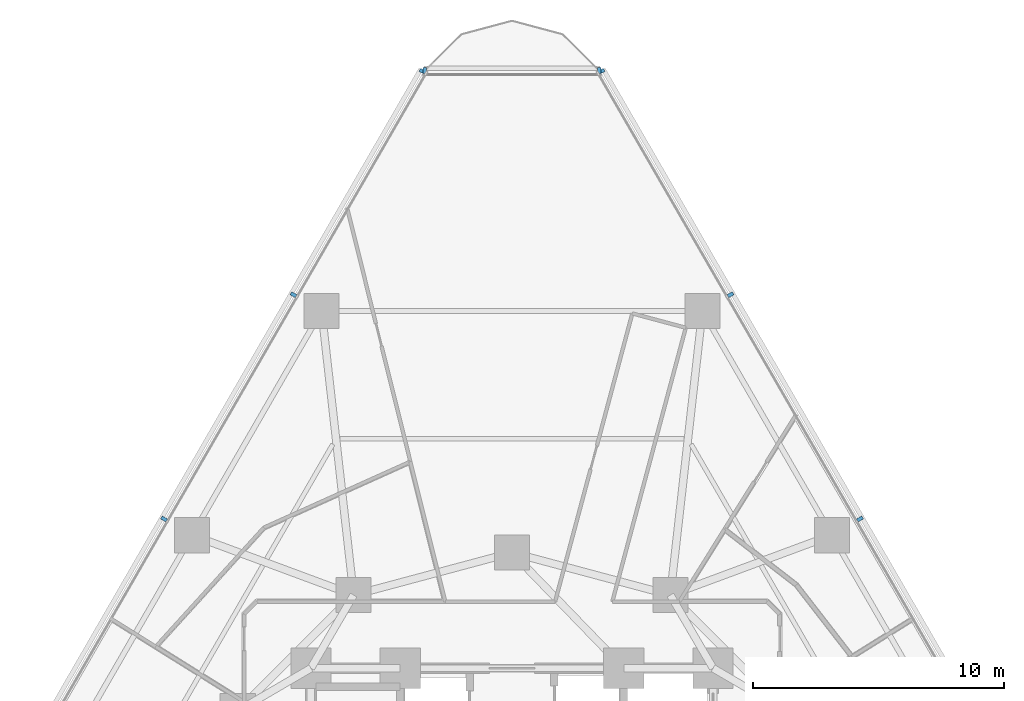
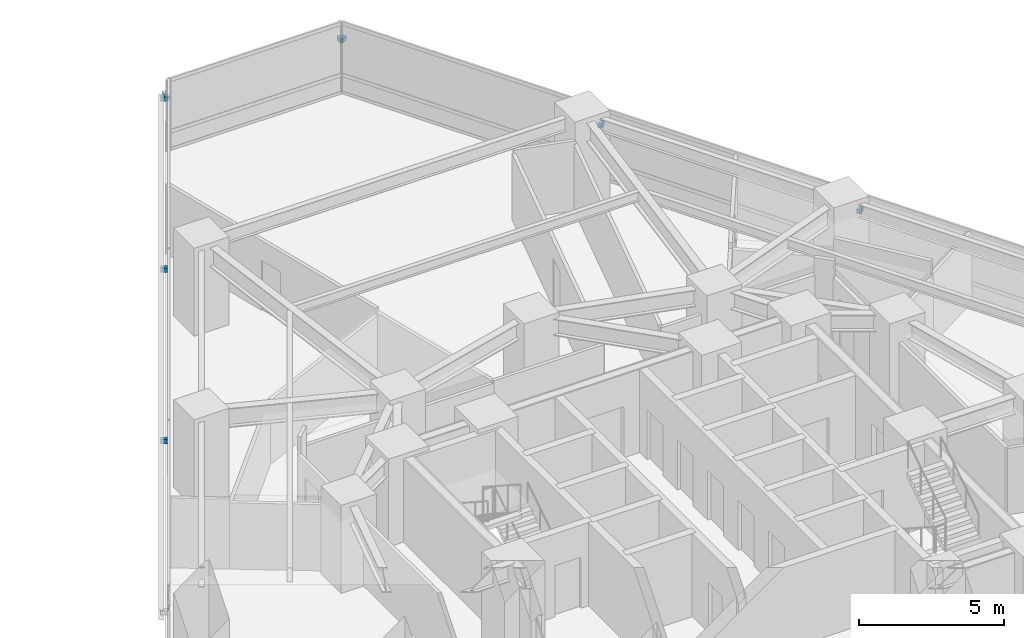
# One storey, part 12 of 16: 8 discrete accessories.
"""IFC4 building model written with IfcOpenShell, lengths in metres."""

from ifc_helpers import new_model, si_unit, direction, frame, origin, origin_2d, place, context, subcontext, project, spatial, rectangle, extrude, material, type_object, element, save


model = new_model("IFC4")

# Units and contexts
model_context = context("Model", 3, precision=1e-05, world=origin(), true_north=direction((0.0, 1.0)))
body_context = subcontext(model_context, "Body", "Model", "MODEL_VIEW")
ifc_project = project(units=[si_unit("LENGTHUNIT", "METRE"), si_unit("AREAUNIT", "SQUARE_METRE"), si_unit("VOLUMEUNIT", "CUBIC_METRE"), si_unit("PLANEANGLEUNIT", "RADIAN"), si_unit("MASSUNIT", "GRAM", prefix="KILO")], contexts=[model_context])

# Site, building, storey
site_placement = place(None, origin())
site = spatial("IfcSite", under=ifc_project, at=site_placement, CompositionType="ELEMENT")
building_placement = place(site_placement, origin())
building = spatial("IfcBuilding", under=site, at=building_placement, Name="Terralouvre Media Tower", CompositionType="ELEMENT")
storey_placement = place(building_placement, frame((0.0, 0.0, 29.699951171875)))
storey = spatial("IfcBuildingStorey", under=building, at=storey_placement, Name="L06", CompositionType="ELEMENT", Elevation=29.699951171875)

# Discrete accessories
ifc_material = material(Name="Anodised extruded aluminium 6063-T6", Category="aluminium")
discrete_accessory_type = type_object("IfcDiscreteAccessoryType", Name="Mullion Stand-Off Baguette Fixing Bracket BK-01", PredefinedType="BRACKET", material=ifc_material)
for number, where, z_axis, x_axis, name in (
    (1, (13.842041015625, 13.9384765625, 2.07421875), (0.0, 0.0, 1.0), (-0.499999985671, 0.866025412057, 0.0), "CW-L06-F1 Baguette Outrigger Bracket 1.04"),
    (2, (8.692138671875, 22.8583984375, 2.07421875), (0.0, 0.0, 1.0), (-0.499999985671, 0.866025412057, 0.0), "CW-L06-F1 Baguette Outrigger Bracket 1.05"),
    (3, (3.560791015625, 31.74609375, 2.07421875), (0.0, 0.0, 1.0), (-0.499999985671, 0.866025412057, 0.0), "CW-L06-F1 Baguette Outrigger Bracket 1.06"),
    (4, (-3.560791015625, 31.74609375, 2.07421875), (0.0, 0.0, 1.0), (-0.499999985671, -0.866025412057, 0.0), "CW-L06-F2 Baguette Outrigger Bracket 1.01"),
    (5, (-8.692138671875, 22.8583984375, 2.07421875), (0.0, 0.0, 1.0), (-0.499999985671, -0.866025412057, 0.0), "CW-L06-F2 Baguette Outrigger Bracket 1.02"),
    (6, (-13.842041015625, 13.9384765625, 2.07421875), (0.0, 0.0, 1.0), (-0.499999985671, -0.866025412057, 0.0), "CW-L06-F2 Baguette Outrigger Bracket 1.03"),
    (7, (3.469970703125, 31.778564453125, 2.07421875), (0.0, 0.0, 1.0), (-1.0, 0.0, 0.0), "CW-L06-C2 Baguette Outrigger Bracket 1.01"),
    (8, (-3.469970703125, 31.778564453125, 2.07421875), (0.0, 0.0, 1.0), (-1.0, 0.0, 0.0), "CW-L06-C2 Baguette Outrigger Bracket 1.02"),
):
    element("IfcDiscreteAccessory", number, at=place(storey_placement, frame(where, z_axis=z_axis, x_axis=x_axis)), inside=storey, type_object=discrete_accessory_type, Name=name, PredefinedType="BRACKET", context=body_context, shape_type="SweptSolid", body=[
        extrude(rectangle(XDim=0.139892578125, YDim=0.239990234375, at=origin_2d()), origin(), (0.0, 0.0, 1.0), 0.179931640625),
    ])

save(model, "model.ifc")
